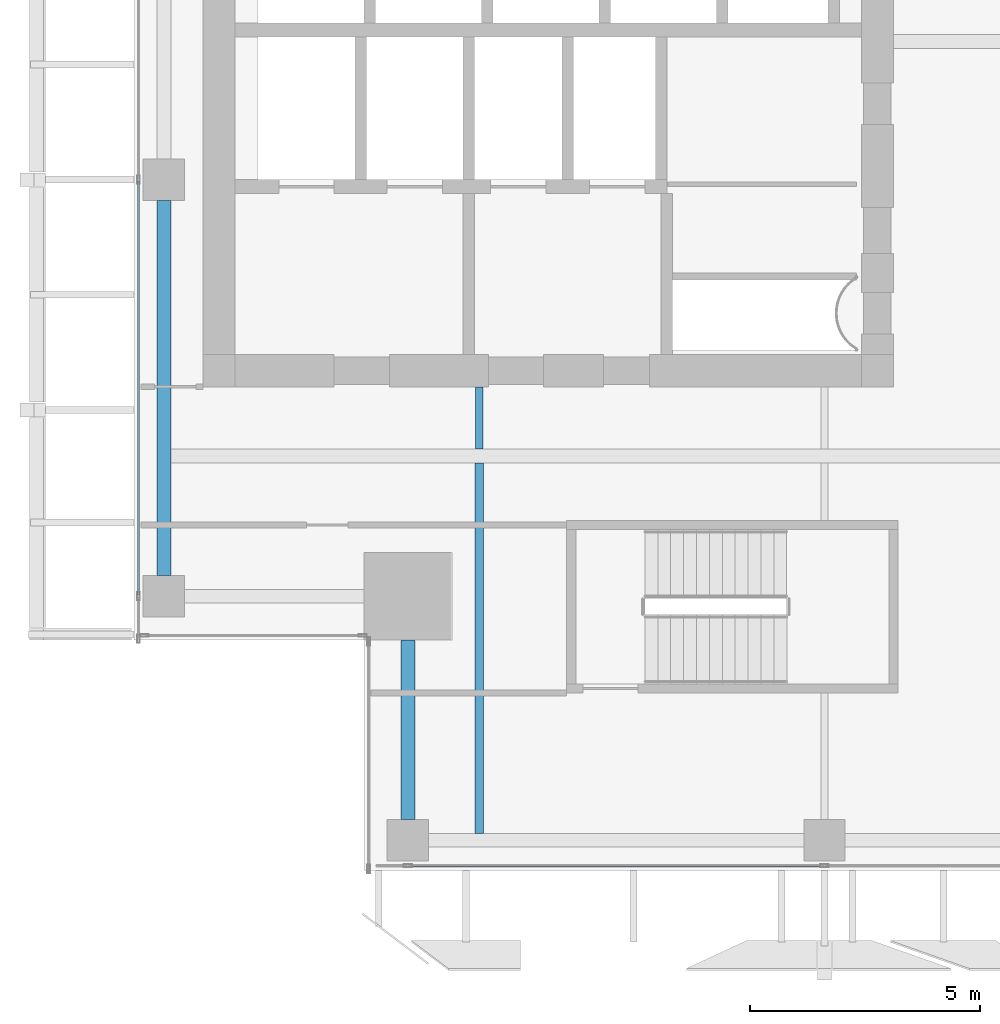
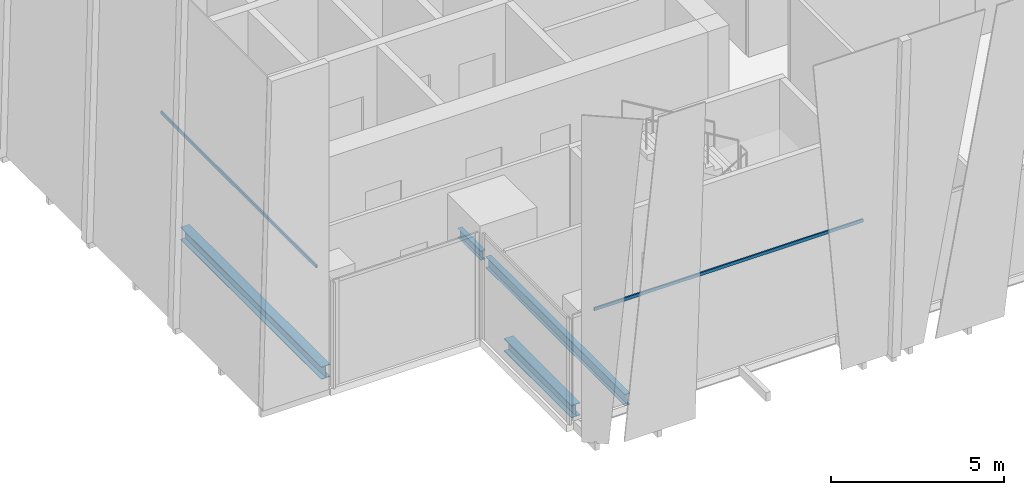
# One storey, part 3 of 33: 4 beams, 2 members, 2 elements without a shape of their own.
"""IFC4 building model written with IfcOpenShell, lengths in metres."""

import ifcopenshell
import ifcopenshell.guid

model = None  # the IFC model being written
_history = None  # IfcOwnerHistory: only IFC2X3 demands one
_inside = {}  # id of a spatial element -> (the spatial element, [elements in it])
_under = {}  # id of a project, library or spatial element -> (it, [spatial elements below it])
_declared = {}  # id of a project -> (the project, [libraries it declares])
_typed = {}  # id of a type object -> (the type object, [elements of that type])
_made_of = {}  # id of a material, layer set ... -> (it, [elements and type objects made of it])


def new_model(schema):
    """Start an empty IFC model of exactly this schema.

    Asked for "IFC4X3", IfcOpenShell would pick the latest addendum, in which some entities
    have other attributes; the version numbers below select the first issue.
    IFC2X3 requires an IfcOwnerHistory on every rooted entity: one is made here for all.
    """
    global model, _history
    if schema == "IFC4X3":
        model = ifcopenshell.file(schema_version=(4, 3, 0, 0))
    else:
        model = ifcopenshell.file(schema=schema)
    _inside.clear()
    _under.clear()
    _declared.clear()
    _typed.clear()
    _made_of.clear()
    _history = None
    if model.schema == "IFC2X3":
        org = make("IfcOrganization", Name="unknown")
        user = make(
            "IfcPersonAndOrganization",
            ThePerson=make("IfcPerson", FamilyName="unknown"),
            TheOrganization=org,
        )
        app = make(
            "IfcApplication",
            ApplicationDeveloper=org,
            Version="unknown",
            ApplicationFullName="unknown",
            ApplicationIdentifier="unknown",
        )
        _history = make(
            "IfcOwnerHistory",
            OwningUser=user,
            OwningApplication=app,
            ChangeAction="ADDED",
            CreationDate=0,
        )
    return model


def make(cls, **values):
    """One entity of the class cls with the attributes given. An attribute that is None is left unset."""
    return model.create_entity(
        cls, **{name: value for name, value in values.items() if value is not None}
    )


def rooted(cls, **values):
    """An entity with a GlobalId (a new one), such as an element, a storey or a relation."""
    return make(cls, GlobalId=ifcopenshell.guid.new(), OwnerHistory=_history, **values)


def si_unit(unit_type, name, prefix=None):
    """IfcSIUnit, for example si_unit("LENGTHUNIT", "METRE", prefix="MILLI")."""
    return make("IfcSIUnit", UnitType=unit_type, Prefix=prefix, Name=name)


def assignment(units):
    """IfcUnitAssignment: the units of a project."""
    return None if units is None else make("IfcUnitAssignment", Units=units)


def point(xyz):
    """IfcCartesianPoint."""
    return None if xyz is None else make("IfcCartesianPoint", Coordinates=xyz)


def direction(xyz):
    """IfcDirection."""
    return None if xyz is None else make("IfcDirection", DirectionRatios=xyz)


def frame(location, z_axis=None, x_axis=None):
    """IfcAxis2Placement3D, a coordinate frame: its origin and axes. An axis left out is left unset."""
    return make(
        "IfcAxis2Placement3D",
        Location=point(location),
        Axis=direction(z_axis),
        RefDirection=direction(x_axis),
    )


def frame_2d(location, x_axis=None):
    """IfcAxis2Placement2D, a coordinate frame in the plane: its origin and x axis."""
    return make(
        "IfcAxis2Placement2D", Location=point(location), RefDirection=direction(x_axis)
    )


def origin():
    """The frame at (0, 0, 0) with its axes left unset."""
    return frame((0.0, 0.0, 0.0))


def origin_2d():
    """The frame at (0, 0) in the plane with its x axis left unset."""
    return frame_2d((0.0, 0.0))


def place(relative_to, where):
    """IfcLocalPlacement: puts the frame where relative to a parent placement (None: the world)."""
    return make(
        "IfcLocalPlacement", PlacementRelTo=relative_to, RelativePlacement=where
    )


def context(
    kind, dimensions, precision=None, world=None, true_north=None, identifier=None
):
    """IfcGeometricRepresentationContext, for example the 3D "Model" context."""
    return make(
        "IfcGeometricRepresentationContext",
        ContextIdentifier=identifier,
        ContextType=kind,
        CoordinateSpaceDimension=dimensions,
        Precision=precision,
        WorldCoordinateSystem=world,
        TrueNorth=true_north,
    )


def subcontext(parent, identifier, kind, view, scale=None):
    """IfcGeometricRepresentationSubContext, for example "Body" below "Model"."""
    return make(
        "IfcGeometricRepresentationSubContext",
        ContextIdentifier=identifier,
        ContextType=kind,
        ParentContext=parent,
        TargetScale=scale,
        TargetView=view,
    )


def project(units=None, contexts=None):
    """IfcProject with its units and contexts."""
    return rooted(
        "IfcProject",
        Name="project",
        RepresentationContexts=contexts,
        UnitsInContext=assignment(units),
    )


def spatial(cls, under=None, at=None, **own):
    """A site, building, storey or space (cls), placed at a placement, below another one or the project."""
    s = rooted(cls, ObjectPlacement=at, **own)
    if under is not None:
        _under.setdefault(under.id(), (under, []))[1].append(s)
    return s


def profile(cls, at=None, kind="AREA", **sizes):
    """A parametric profile (cls). Its sizes go by their IFC names, for example OverallWidth=200.0."""
    return make(cls, ProfileType=kind, Position=at, **sizes)


def hollow_rectangle(**sizes):
    """IfcRectangleHollowProfileDef."""
    return profile("IfcRectangleHollowProfileDef", **sizes)


def i_section(**sizes):
    """IfcIShapeProfileDef."""
    return profile("IfcIShapeProfileDef", **sizes)


def extrude(swept, where, along, depth):
    """IfcExtrudedAreaSolid: the profile swept, set in the frame where, extruded along a direction by depth."""
    return make(
        "IfcExtrudedAreaSolid",
        SweptArea=swept,
        Position=where,
        ExtrudedDirection=direction(along),
        Depth=depth,
    )


def shape(context_of_items, identifier, shape_type, items):
    """IfcShapeRepresentation: the items that make up one representation, for example the "Body"."""
    return make(
        "IfcShapeRepresentation",
        ContextOfItems=context_of_items,
        RepresentationIdentifier=identifier,
        RepresentationType=shape_type,
        Items=items,
    )


def source(mapping_origin, context_of_items, identifier, shape_type, items):
    """IfcRepresentationMap: a shape defined once, which mapped items show again and again."""
    return make(
        "IfcRepresentationMap",
        MappingOrigin=mapping_origin,
        MappedRepresentation=shape(context_of_items, identifier, shape_type, items),
    )


def transform(
    local_origin,
    x_axis=None,
    y_axis=None,
    z_axis=None,
    scale=None,
    scale2=None,
    scale3=None,
    uniform=True,
):
    """IfcCartesianTransformationOperator3D, or its non-uniform kind. x_axis, y_axis, z_axis: its Axis1, 2, 3."""
    if uniform:
        return make(
            "IfcCartesianTransformationOperator3D",
            Axis1=direction(x_axis),
            Axis2=direction(y_axis),
            LocalOrigin=point(local_origin),
            Scale=scale,
            Axis3=direction(z_axis),
        )
    return make(
        "IfcCartesianTransformationOperator3DnonUniform",
        Axis1=direction(x_axis),
        Axis2=direction(y_axis),
        LocalOrigin=point(local_origin),
        Scale=scale,
        Axis3=direction(z_axis),
        Scale2=scale2,
        Scale3=scale3,
    )


def mapped(mapping_source, mapping_target):
    """IfcMappedItem: shows the shape of a source again, moved by a transform."""
    return make(
        "IfcMappedItem", MappingSource=mapping_source, MappingTarget=mapping_target
    )


def material(Name=None, Category=None):
    """IfcMaterial."""
    return make("IfcMaterial", Name=Name, Category=Category)


def material_profile(
    of_material, cross_section, Name=None, Category=None, Priority=None
):
    """IfcMaterialProfile: a cross section and its material."""
    return make(
        "IfcMaterialProfile",
        Name=Name,
        Material=of_material,
        Profile=cross_section,
        Priority=Priority,
        Category=Category,
    )


def profile_set(profiles, Name=None, composite=None):
    """IfcMaterialProfileSet."""
    return make(
        "IfcMaterialProfileSet",
        Name=Name,
        MaterialProfiles=profiles,
        CompositeProfile=composite,
    )


def made_of(thing, what):
    """Note that an element or type object is made of a material, layer set ...; save() writes the relation."""
    if what is not None:
        _made_of.setdefault(what.id(), (what, []))[1].append(thing)
    return thing


def type_object(cls, material=None, **own):
    """A type object (cls), such as IfcWallType, which elements share."""
    return made_of(rooted(cls, **own), material)


def element(
    cls,
    number,
    at=None,
    inside=None,
    cuts=None,
    type_object=None,
    material=None,
    context=None,
    identifier="Body",
    shape_type=None,
    held_by="IfcProductDefinitionShape",
    body=None,
    shapes=None,
    **own,
):
    """One element of the class cls, such as IfcWall. Its Tag is "e" and its number.

    at: its placement. inside: the storey or other place that contains it. cuts: it is an
    opening in that element (IfcRelVoidsElement). A single representation is given by context,
    identifier, shape_type and body (its items); several are given by shapes. held_by: the class
    of the entity that holds the representations. save() writes the other relations.
    """
    e = rooted(cls, Tag="e%d" % number, ObjectPlacement=at, **own)
    if body is not None:
        shapes = [shape(context, identifier, shape_type, body)]
    if shapes is not None:
        e.Representation = make(held_by, Representations=shapes)
    if inside is not None:
        _inside.setdefault(inside.id(), (inside, []))[1].append(e)
    if cuts is not None:
        rooted(
            "IfcRelVoidsElement", RelatingBuildingElement=cuts, RelatedOpeningElement=e
        )
    if type_object is not None:
        _typed.setdefault(type_object.id(), (type_object, []))[1].append(e)
    return made_of(e, material)


def aggregate(whole, parts):
    """IfcRelAggregates: a whole, such as a stair, and the parts it consists of."""
    return rooted("IfcRelAggregates", RelatingObject=whole, RelatedObjects=parts)


def save(model, path):
    """Write the relations noted so far, then the file.

    IfcRelAggregates (storeys below a building ...), IfcRelContainedInSpatialStructure (elements
    in a storey), IfcRelDefinesByType, IfcRelAssociatesMaterial and IfcRelDeclares: one each for
    every whole, place, type object, material and project.
    """
    for whole, parts in _under.values():
        aggregate(whole, parts)
    for where, things in _inside.values():
        rooted(
            "IfcRelContainedInSpatialStructure",
            RelatedElements=things,
            RelatingStructure=where,
        )
    for kind, things in _typed.values():
        rooted("IfcRelDefinesByType", RelatedObjects=things, RelatingType=kind)
    for what, things in _made_of.values():
        rooted("IfcRelAssociatesMaterial", RelatedObjects=things, RelatingMaterial=what)
    for by, libraries in _declared.values():
        rooted("IfcRelDeclares", RelatingContext=by, RelatedDefinitions=libraries)
    model.write(path)


model = new_model("IFC4")

# Units and contexts
model_context = context("Model", 3, precision=1e-05, world=origin(), true_north=direction((0.0, 1.0)))
body_context = subcontext(model_context, "Body", "Model", "MODEL_VIEW")
ifc_project = project(units=[si_unit("LENGTHUNIT", "METRE"), si_unit("AREAUNIT", "SQUARE_METRE"), si_unit("VOLUMEUNIT", "CUBIC_METRE"), si_unit("PLANEANGLEUNIT", "RADIAN"), si_unit("MASSUNIT", "GRAM", prefix="KILO")], contexts=[model_context])

# Site, building, storey
site_placement = place(None, origin())
site = spatial("IfcSite", under=ifc_project, at=site_placement, CompositionType="ELEMENT")
building_placement = place(site_placement, origin())
building = spatial("IfcBuilding", under=site, at=building_placement, Name="Khomas Fold Tower", CompositionType="ELEMENT")
storey_placement = place(building_placement, frame((0.0, 0.0, 234.199951171875)))
storey = spatial("IfcBuildingStorey", under=building, at=storey_placement, Name="L52", CompositionType="ELEMENT", Elevation=234.199951171875)

# Beams
ifc_material_1 = material(Name="Steel S355", Category="steel")
ifc_material_profile_1 = material_profile(ifc_material_1, i_section(OverallWidth=0.159912109375, OverallDepth=0.330078125, WebThickness=0.007568359375, FlangeThickness=0.011474609375, at=origin_2d()), Name="IPE 330")
ifc_profile_set_1 = profile_set([ifc_material_profile_1], Name="Steel S355")
beam_type_1 = type_object("IfcBeamType", Name="IPE 330 beam JB1", PredefinedType="BEAM", material=ifc_profile_set_1)
shared_shape_1 = source(origin(), body_context, "Body", "SweptSolid", [
    extrude(i_section(OverallWidth=0.159912109375, OverallDepth=0.330078125, WebThickness=0.007568359375, FlangeThickness=0.011474609375, at=origin_2d()), origin(), (0.0, 0.0, 1.0), 1.35009765625),
])
beam_1_placement = place(storey_placement, frame((12.0, 13.64990234375, -0.4150390625), z_axis=(0.0, 1.0, 0.0), x_axis=(-1.0, 0.0, 0.0)))
element("IfcBeam", 1, at=beam_1_placement, inside=storey, type_object=beam_type_1, Name="JB1", PredefinedType="BEAM", context=body_context, shape_type="MappedRepresentation", body=[
    mapped(shared_shape_1, transform((0.0, 0.0, 0.0))),
])
ifc_material_2 = material(Name="Steel S355", Category="steel")
ifc_material_profile_2 = material_profile(ifc_material_2, i_section(OverallWidth=0.300048828125, OverallDepth=0.449951171875, WebThickness=0.013916015625, FlangeThickness=0.02587890625, at=origin_2d()), Name="HE 450 B")
ifc_profile_set_2 = profile_set([ifc_material_profile_2], Name="Steel S355")
beam_type_2 = type_object("IfcBeamType", Name="HE 450 B spandrel SB4", PredefinedType="SPANDREL", material=ifc_profile_set_2)
shared_shape_2 = source(origin(), body_context, "Body", "SweptSolid", [
    extrude(i_section(OverallWidth=0.300048828125, OverallDepth=0.449951171875, WebThickness=0.013916015625, FlangeThickness=0.02587890625, at=origin_2d()), origin(), (0.0, 0.0, 1.0), 8.150146484375),
])
beam_2_placement = place(storey_placement, frame((5.14990234375, 10.89990234375, -0.474853515625), z_axis=(0.0, 1.0, 0.0), x_axis=(-1.0, 0.0, 0.0)))
element("IfcBeam", 2, at=beam_2_placement, inside=storey, type_object=beam_type_2, Name="SB4", PredefinedType="SPANDREL", context=body_context, shape_type="MappedRepresentation", body=[
    mapped(shared_shape_2, transform((0.0, 0.0, 0.0))),
])
shared_shape_3 = source(origin(), body_context, "Body", "SweptSolid", [
    extrude(i_section(OverallWidth=0.300048828125, OverallDepth=0.449951171875, WebThickness=0.013916015625, FlangeThickness=0.02587890625, at=origin_2d()), origin(), (0.0, 0.0, 1.0), 3.89990234375),
])
beam_3_placement = place(storey_placement, frame((10.449951171875, 5.60009765625, -0.474853515625), z_axis=(0.0, 1.0, 0.0), x_axis=(-1.0, 0.0, 0.0)))
element("IfcBeam", 3, at=beam_3_placement, inside=storey, type_object=beam_type_2, Name="SB4", PredefinedType="SPANDREL", context=body_context, shape_type="MappedRepresentation", body=[
    mapped(shared_shape_3, transform((0.0, 0.0, 0.0))),
])
ifc_material_3 = material(Name="Steel S355", Category="steel")
ifc_material_profile_3 = material_profile(ifc_material_3, i_section(OverallWidth=0.179931640625, OverallDepth=0.39990234375, WebThickness=0.008544921875, FlangeThickness=0.013427734375, at=origin_2d()), Name="IPE 400")
ifc_profile_set_3 = profile_set([ifc_material_profile_3], Name="Steel S355")
beam_type_3 = type_object("IfcBeamType", Name="IPE 400 beam JB3", PredefinedType="BEAM", material=ifc_profile_set_3)
shared_shape_4 = source(origin(), body_context, "Body", "SweptSolid", [
    extrude(i_section(OverallWidth=0.179931640625, OverallDepth=0.39990234375, WebThickness=0.008544921875, FlangeThickness=0.013427734375, at=origin_2d()), origin(), (0.0, 0.0, 1.0), 8.050048828125),
])
beam_4_placement = place(storey_placement, frame((12.0, 5.300048828125, -0.449951171875), z_axis=(0.0, 1.0, 0.0), x_axis=(-1.0, 0.0, 0.0)))
element("IfcBeam", 4, at=beam_4_placement, inside=storey, type_object=beam_type_3, Name="JB3", PredefinedType="BEAM", context=body_context, shape_type="MappedRepresentation", body=[
    mapped(shared_shape_4, transform((0.0, 0.0, 0.0))),
])

# Curtain wall, member
ifc_material_4 = material(Name="Aluminium framed double glazing", Category="aluminium")
curtain_wall_type = type_object("IfcCurtainWallType", Name="SK-Unitised clear-glass wall, office floors CW2", PredefinedType="NOTDEFINED", material=ifc_material_4)
curtain_wall_1_placement = place(storey_placement, origin())
curtain_wall_1 = element("IfcCurtainWall", 5, at=curtain_wall_1_placement, inside=storey, type_object=curtain_wall_type, Name="CW2 run L52 00-0", PredefinedType="NOTDEFINED")
ifc_material_5 = material(Name="Aluminium", Category="aluminium")
ifc_material_profile_4 = material_profile(ifc_material_5, hollow_rectangle(XDim=0.050048828125, YDim=0.110107421875, WallThickness=0.00390625, at=origin_2d()), Name="SK-Unitised clear-glass wall, office floors transom CW2-T")
ifc_profile_set_4 = profile_set([ifc_material_profile_4], Name="Aluminium")
member_type = type_object("IfcMemberType", Name="SK-Unitised clear-glass wall, office floors transom CW2-T", PredefinedType="USERDEFINED", material=ifc_profile_set_4)
shared_shape_5 = source(origin(), body_context, "Body", "SweptSolid", [
    extrude(hollow_rectangle(XDim=0.050048828125, YDim=0.110107421875, WallThickness=0.00390625, at=origin_2d()), origin(), (0.0, 0.0, 1.0), 8.989990234375),
])
member_1_placement = place(storey_placement, frame((10.47998046875, 4.60009765625, 3.695068359375), z_axis=(1.0, 0.0, 0.0), x_axis=(0.0, 1.0, 0.0)))
member_1 = element("IfcMember", 6, at=member_1_placement, type_object=member_type, Name="CW2 transom 2", ObjectType="TRANSOM", PredefinedType="USERDEFINED", context=body_context, shape_type="MappedRepresentation", body=[
    mapped(shared_shape_5, transform((0.0, 0.0, 0.0))),
])
aggregate(curtain_wall_1, [member_1])

curtain_wall_2_placement = place(storey_placement, origin())
curtain_wall_2 = element("IfcCurtainWall", 7, at=curtain_wall_2_placement, inside=storey, type_object=curtain_wall_type, Name="CW2 run L52 09-0", PredefinedType="NOTDEFINED")
member_2_placement = place(storey_placement, frame((4.60009765625, 19.469970703125, 3.695068359375), z_axis=(0.0, -1.0, 0.0), x_axis=(1.0, 0.0, 0.0)))
member_2 = element("IfcMember", 8, at=member_2_placement, type_object=member_type, Name="CW2 transom 5", ObjectType="TRANSOM", PredefinedType="USERDEFINED", context=body_context, shape_type="MappedRepresentation", body=[
    mapped(shared_shape_5, transform((0.0, 0.0, 0.0))),
])
aggregate(curtain_wall_2, [member_2])

save(model, "model.ifc")
